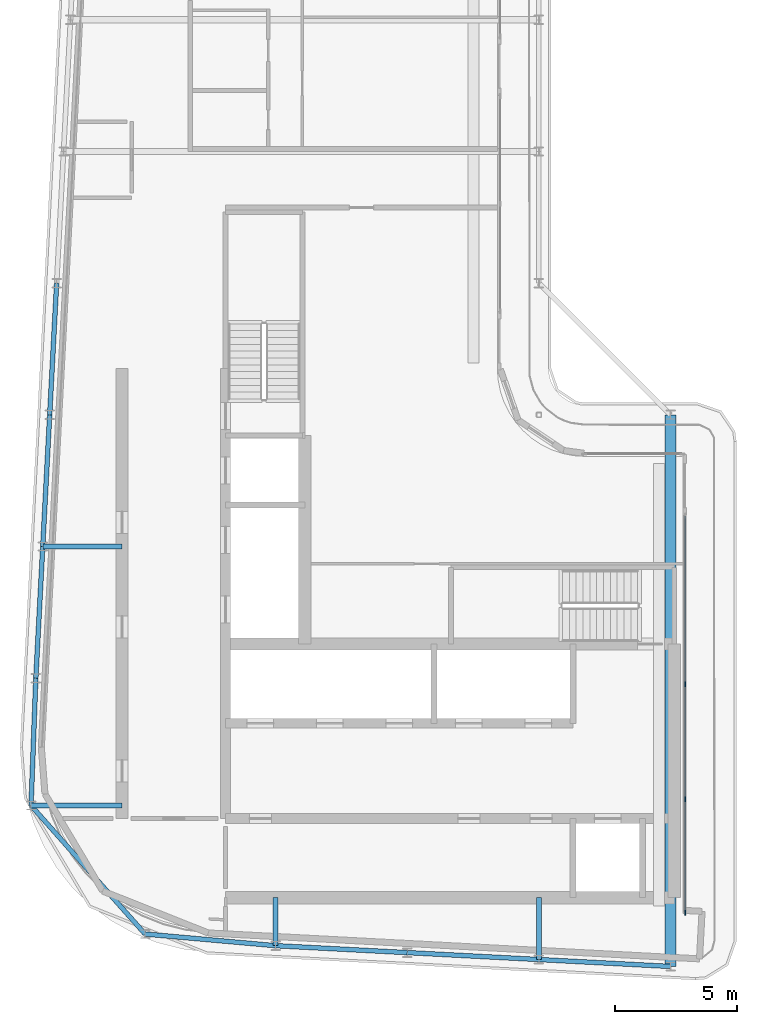
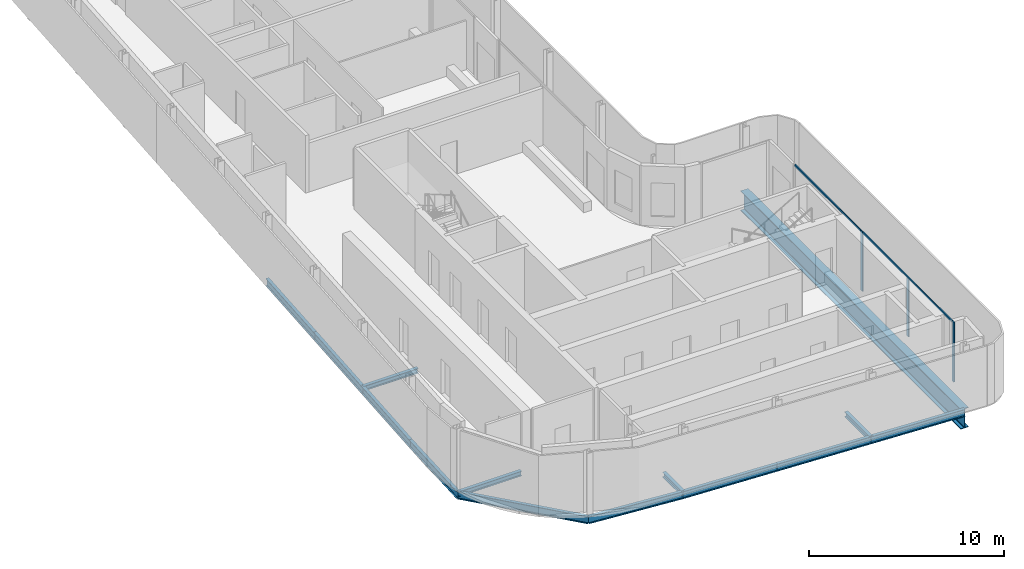
# One storey, part 4 of 19: 14 beams, 5 members, 2 elements without a shape of their own.
"""IFC4 building model written with IfcOpenShell, lengths in metres."""

import ifcopenshell
import ifcopenshell.guid

model = None  # the IFC model being written
_history = None  # IfcOwnerHistory: only IFC2X3 demands one
_inside = {}  # id of a spatial element -> (the spatial element, [elements in it])
_under = {}  # id of a project, library or spatial element -> (it, [spatial elements below it])
_declared = {}  # id of a project -> (the project, [libraries it declares])
_typed = {}  # id of a type object -> (the type object, [elements of that type])
_made_of = {}  # id of a material, layer set ... -> (it, [elements and type objects made of it])


def new_model(schema):
    """Start an empty IFC model of exactly this schema.

    Asked for "IFC4X3", IfcOpenShell would pick the latest addendum, in which some entities
    have other attributes; the version numbers below select the first issue.
    IFC2X3 requires an IfcOwnerHistory on every rooted entity: one is made here for all.
    """
    global model, _history
    if schema == "IFC4X3":
        model = ifcopenshell.file(schema_version=(4, 3, 0, 0))
    else:
        model = ifcopenshell.file(schema=schema)
    _inside.clear()
    _under.clear()
    _declared.clear()
    _typed.clear()
    _made_of.clear()
    _history = None
    if model.schema == "IFC2X3":
        org = make("IfcOrganization", Name="unknown")
        user = make(
            "IfcPersonAndOrganization",
            ThePerson=make("IfcPerson", FamilyName="unknown"),
            TheOrganization=org,
        )
        app = make(
            "IfcApplication",
            ApplicationDeveloper=org,
            Version="unknown",
            ApplicationFullName="unknown",
            ApplicationIdentifier="unknown",
        )
        _history = make(
            "IfcOwnerHistory",
            OwningUser=user,
            OwningApplication=app,
            ChangeAction="ADDED",
            CreationDate=0,
        )
    return model


def make(cls, **values):
    """One entity of the class cls with the attributes given. An attribute that is None is left unset."""
    return model.create_entity(
        cls, **{name: value for name, value in values.items() if value is not None}
    )


def rooted(cls, **values):
    """An entity with a GlobalId (a new one), such as an element, a storey or a relation."""
    return make(cls, GlobalId=ifcopenshell.guid.new(), OwnerHistory=_history, **values)


def si_unit(unit_type, name, prefix=None):
    """IfcSIUnit, for example si_unit("LENGTHUNIT", "METRE", prefix="MILLI")."""
    return make("IfcSIUnit", UnitType=unit_type, Prefix=prefix, Name=name)


def assignment(units):
    """IfcUnitAssignment: the units of a project."""
    return None if units is None else make("IfcUnitAssignment", Units=units)


def point(xyz):
    """IfcCartesianPoint."""
    return None if xyz is None else make("IfcCartesianPoint", Coordinates=xyz)


def direction(xyz):
    """IfcDirection."""
    return None if xyz is None else make("IfcDirection", DirectionRatios=xyz)


def frame(location, z_axis=None, x_axis=None):
    """IfcAxis2Placement3D, a coordinate frame: its origin and axes. An axis left out is left unset."""
    return make(
        "IfcAxis2Placement3D",
        Location=point(location),
        Axis=direction(z_axis),
        RefDirection=direction(x_axis),
    )


def frame_2d(location, x_axis=None):
    """IfcAxis2Placement2D, a coordinate frame in the plane: its origin and x axis."""
    return make(
        "IfcAxis2Placement2D", Location=point(location), RefDirection=direction(x_axis)
    )


def origin():
    """The frame at (0, 0, 0) with its axes left unset."""
    return frame((0.0, 0.0, 0.0))


def origin_2d():
    """The frame at (0, 0) in the plane with its x axis left unset."""
    return frame_2d((0.0, 0.0))


def place(relative_to, where):
    """IfcLocalPlacement: puts the frame where relative to a parent placement (None: the world)."""
    return make(
        "IfcLocalPlacement", PlacementRelTo=relative_to, RelativePlacement=where
    )


def context(
    kind, dimensions, precision=None, world=None, true_north=None, identifier=None
):
    """IfcGeometricRepresentationContext, for example the 3D "Model" context."""
    return make(
        "IfcGeometricRepresentationContext",
        ContextIdentifier=identifier,
        ContextType=kind,
        CoordinateSpaceDimension=dimensions,
        Precision=precision,
        WorldCoordinateSystem=world,
        TrueNorth=true_north,
    )


def subcontext(parent, identifier, kind, view, scale=None):
    """IfcGeometricRepresentationSubContext, for example "Body" below "Model"."""
    return make(
        "IfcGeometricRepresentationSubContext",
        ContextIdentifier=identifier,
        ContextType=kind,
        ParentContext=parent,
        TargetScale=scale,
        TargetView=view,
    )


def project(units=None, contexts=None):
    """IfcProject with its units and contexts."""
    return rooted(
        "IfcProject",
        Name="project",
        RepresentationContexts=contexts,
        UnitsInContext=assignment(units),
    )


def spatial(cls, under=None, at=None, **own):
    """A site, building, storey or space (cls), placed at a placement, below another one or the project."""
    s = rooted(cls, ObjectPlacement=at, **own)
    if under is not None:
        _under.setdefault(under.id(), (under, []))[1].append(s)
    return s


def profile(cls, at=None, kind="AREA", **sizes):
    """A parametric profile (cls). Its sizes go by their IFC names, for example OverallWidth=200.0."""
    return make(cls, ProfileType=kind, Position=at, **sizes)


def rectangle(**sizes):
    """IfcRectangleProfileDef."""
    return profile("IfcRectangleProfileDef", **sizes)


def i_section(**sizes):
    """IfcIShapeProfileDef."""
    return profile("IfcIShapeProfileDef", **sizes)


def extrude(swept, where, along, depth):
    """IfcExtrudedAreaSolid: the profile swept, set in the frame where, extruded along a direction by depth."""
    return make(
        "IfcExtrudedAreaSolid",
        SweptArea=swept,
        Position=where,
        ExtrudedDirection=direction(along),
        Depth=depth,
    )


def shape(context_of_items, identifier, shape_type, items):
    """IfcShapeRepresentation: the items that make up one representation, for example the "Body"."""
    return make(
        "IfcShapeRepresentation",
        ContextOfItems=context_of_items,
        RepresentationIdentifier=identifier,
        RepresentationType=shape_type,
        Items=items,
    )


def material(Name=None, Category=None):
    """IfcMaterial."""
    return make("IfcMaterial", Name=Name, Category=Category)


def layer(
    of_material, thickness, ventilated=None, Name=None, Category=None, Priority=None
):
    """IfcMaterialLayer: one layer of a wall or slab, of a material (None: an air gap)."""
    return make(
        "IfcMaterialLayer",
        Material=of_material,
        LayerThickness=thickness,
        IsVentilated=ventilated,
        Name=Name,
        Category=Category,
        Priority=Priority,
    )


def layer_set(layers, Name=None):
    """IfcMaterialLayerSet."""
    return make("IfcMaterialLayerSet", MaterialLayers=layers, LayerSetName=Name)


def material_profile(
    of_material, cross_section, Name=None, Category=None, Priority=None
):
    """IfcMaterialProfile: a cross section and its material."""
    return make(
        "IfcMaterialProfile",
        Name=Name,
        Material=of_material,
        Profile=cross_section,
        Priority=Priority,
        Category=Category,
    )


def profile_set(profiles, Name=None, composite=None):
    """IfcMaterialProfileSet."""
    return make(
        "IfcMaterialProfileSet",
        Name=Name,
        MaterialProfiles=profiles,
        CompositeProfile=composite,
    )


def made_of(thing, what):
    """Note that an element or type object is made of a material, layer set ...; save() writes the relation."""
    if what is not None:
        _made_of.setdefault(what.id(), (what, []))[1].append(thing)
    return thing


def type_object(cls, material=None, **own):
    """A type object (cls), such as IfcWallType, which elements share."""
    return made_of(rooted(cls, **own), material)


def element(
    cls,
    number,
    at=None,
    inside=None,
    cuts=None,
    type_object=None,
    material=None,
    context=None,
    identifier="Body",
    shape_type=None,
    held_by="IfcProductDefinitionShape",
    body=None,
    shapes=None,
    **own,
):
    """One element of the class cls, such as IfcWall. Its Tag is "e" and its number.

    at: its placement. inside: the storey or other place that contains it. cuts: it is an
    opening in that element (IfcRelVoidsElement). A single representation is given by context,
    identifier, shape_type and body (its items); several are given by shapes. held_by: the class
    of the entity that holds the representations. save() writes the other relations.
    """
    e = rooted(cls, Tag="e%d" % number, ObjectPlacement=at, **own)
    if body is not None:
        shapes = [shape(context, identifier, shape_type, body)]
    if shapes is not None:
        e.Representation = make(held_by, Representations=shapes)
    if inside is not None:
        _inside.setdefault(inside.id(), (inside, []))[1].append(e)
    if cuts is not None:
        rooted(
            "IfcRelVoidsElement", RelatingBuildingElement=cuts, RelatedOpeningElement=e
        )
    if type_object is not None:
        _typed.setdefault(type_object.id(), (type_object, []))[1].append(e)
    return made_of(e, material)


def aggregate(whole, parts):
    """IfcRelAggregates: a whole, such as a stair, and the parts it consists of."""
    return rooted("IfcRelAggregates", RelatingObject=whole, RelatedObjects=parts)


def save(model, path):
    """Write the relations noted so far, then the file.

    IfcRelAggregates (storeys below a building ...), IfcRelContainedInSpatialStructure (elements
    in a storey), IfcRelDefinesByType, IfcRelAssociatesMaterial and IfcRelDeclares: one each for
    every whole, place, type object, material and project.
    """
    for whole, parts in _under.values():
        aggregate(whole, parts)
    for where, things in _inside.values():
        rooted(
            "IfcRelContainedInSpatialStructure",
            RelatedElements=things,
            RelatingStructure=where,
        )
    for kind, things in _typed.values():
        rooted("IfcRelDefinesByType", RelatedObjects=things, RelatingType=kind)
    for what, things in _made_of.values():
        rooted("IfcRelAssociatesMaterial", RelatedObjects=things, RelatingMaterial=what)
    for by, libraries in _declared.values():
        rooted("IfcRelDeclares", RelatingContext=by, RelatedDefinitions=libraries)
    model.write(path)


model = new_model("IFC4")

# Units and contexts
model_context = context("Model", 3, precision=1e-05, world=origin(), true_north=direction((0.0, 1.0)))
body_context = subcontext(model_context, "Body", "Model", "MODEL_VIEW")
ifc_project = project(units=[si_unit("LENGTHUNIT", "METRE"), si_unit("AREAUNIT", "SQUARE_METRE"), si_unit("VOLUMEUNIT", "CUBIC_METRE"), si_unit("PLANEANGLEUNIT", "RADIAN"), si_unit("MASSUNIT", "GRAM", prefix="KILO")], contexts=[model_context])

# Site, building, storey
site_placement = place(None, origin())
site = spatial("IfcSite", under=ifc_project, at=site_placement, CompositionType="ELEMENT")
building_placement = place(site_placement, origin())
building = spatial("IfcBuilding", under=site, at=building_placement, Name="Kheshtan School and Residences Tower", CompositionType="ELEMENT")
storey_placement = place(building_placement, frame((0.0, 0.0, 357.800048828125)))
storey = spatial("IfcBuildingStorey", under=building, at=storey_placement, Name="L84", CompositionType="ELEMENT", Elevation=357.800048828125)

# Beams
ifc_material_1 = material(Name="Steel ASTM A992 Grade 50", Category="steel")
ifc_material_profile_1 = material_profile(ifc_material_1, i_section(OverallWidth=0.202880859375, OverallDepth=0.302978515625, WebThickness=0.007568359375, FlangeThickness=0.01318359375, FilletRadius=0.009033203125, at=origin_2d()), Name="W310x60")
ifc_profile_set_1 = profile_set([ifc_material_profile_1], Name="Steel ASTM A992 Grade 50")
beam_type_1 = type_object("IfcBeamType", Name="Beam FB1 W310x60 ASTM A992 Grade 50", PredefinedType="BEAM", material=ifc_profile_set_1)
beam_1_placement = place(storey_placement, frame((47.60009765625, 23.263916015625, -0.301513671875), z_axis=(0.0, 1.0, 0.0), x_axis=(-1.0, 0.0, 0.0)))
element("IfcBeam", 1, at=beam_1_placement, inside=storey, type_object=beam_type_1, Name="Floor beam C020", PredefinedType="BEAM", context=body_context, shape_type="SweptSolid", body=[
    extrude(i_section(OverallWidth=0.202880859375, OverallDepth=0.302978515625, WebThickness=0.007568359375, FlangeThickness=0.01318359375, FilletRadius=0.009033203125, at=origin_2d()), origin(), (0.0, 0.0, 1.0), 2.5361328125),
])
beam_2_placement = place(storey_placement, frame((36.800048828125, 23.83203125, -0.301513671875), z_axis=(0.0, 1.0, 0.0), x_axis=(-1.0, 0.0, 0.0)))
element("IfcBeam", 2, at=beam_2_placement, inside=storey, type_object=beam_type_1, Name="Floor beam C022", PredefinedType="BEAM", context=body_context, shape_type="SweptSolid", body=[
    extrude(i_section(OverallWidth=0.202880859375, OverallDepth=0.302978515625, WebThickness=0.007568359375, FlangeThickness=0.01318359375, FilletRadius=0.009033203125, at=origin_2d()), origin(), (0.0, 0.0, 1.0), 1.968017578125),
])
beam_3_placement = place(storey_placement, frame((26.77294921875, 29.5791015625, -0.301513671875), z_axis=(1.0, 0.0, 0.0), x_axis=(0.0, 1.0, 0.0)))
element("IfcBeam", 3, at=beam_3_placement, inside=storey, type_object=beam_type_1, Name="Floor beam C047", PredefinedType="BEAM", context=body_context, shape_type="SweptSolid", body=[
    extrude(i_section(OverallWidth=0.202880859375, OverallDepth=0.302978515625, WebThickness=0.007568359375, FlangeThickness=0.01318359375, FilletRadius=0.009033203125, at=origin_2d()), origin(), (0.0, 0.0, 1.0), 3.72705078125),
])
beam_4_placement = place(storey_placement, frame((27.2529296875, 40.199951171875, -0.301513671875), z_axis=(1.0, 0.0, 0.0), x_axis=(0.0, 1.0, 0.0)))
element("IfcBeam", 4, at=beam_4_placement, inside=storey, type_object=beam_type_1, Name="Floor beam C056", PredefinedType="BEAM", context=body_context, shape_type="SweptSolid", body=[
    extrude(i_section(OverallWidth=0.202880859375, OverallDepth=0.302978515625, WebThickness=0.007568359375, FlangeThickness=0.01318359375, FilletRadius=0.009033203125, at=origin_2d()), origin(), (0.0, 0.0, 1.0), 3.2470703125),
])
ifc_material_profile_2 = material_profile(ifc_material_1, i_section(OverallWidth=0.18994140625, OverallDepth=0.45703125, WebThickness=0.009033203125, FlangeThickness=0.014404296875, FilletRadius=0.01318359375, at=origin_2d()), Name="W460x74")
ifc_profile_set_2 = profile_set([ifc_material_profile_2], Name="Steel ASTM A992 Grade 50")
beam_type_2 = type_object("IfcBeamType", Name="Beam SP4 W460x74 ASTM A992 Grade 50", PredefinedType="BEAM", material=ifc_profile_set_2)
beam_5_placement = place(storey_placement, frame((53.0, 22.97998046875, -0.378662109375), z_axis=(-0.998620447272, 0.05250906864, 0.0), x_axis=(-0.05250906864, -0.998620447272, 0.0)))
element("IfcBeam", 5, at=beam_5_placement, inside=storey, type_object=beam_type_2, Name="Spandrel beam C019-C020", PredefinedType="BEAM", context=body_context, shape_type="SweptSolid", body=[
    extrude(i_section(OverallWidth=0.18994140625, OverallDepth=0.45703125, WebThickness=0.009033203125, FlangeThickness=0.014404296875, FilletRadius=0.01318359375, at=origin_2d()), origin(), (0.0, 0.0, 1.0), 5.407470703125),
])
beam_6_placement = place(storey_placement, frame((47.60009765625, 23.263916015625, -0.378662109375), z_axis=(-0.998618203458, 0.052551724256, 0.0), x_axis=(-0.052551724256, -0.998618203458, 0.0)))
element("IfcBeam", 6, at=beam_6_placement, inside=storey, type_object=beam_type_2, Name="Spandrel beam C020-C021", PredefinedType="BEAM", context=body_context, shape_type="SweptSolid", body=[
    extrude(i_section(OverallWidth=0.18994140625, OverallDepth=0.45703125, WebThickness=0.009033203125, FlangeThickness=0.014404296875, FilletRadius=0.01318359375, at=origin_2d()), origin(), (0.0, 0.0, 1.0), 5.40771484375),
])
beam_7_placement = place(storey_placement, frame((42.199951171875, 23.548095703125, -0.378662109375), z_axis=(-0.998620447272, 0.05250906864, 0.0), x_axis=(-0.05250906864, -0.998620447272, 0.0)))
element("IfcBeam", 7, at=beam_7_placement, inside=storey, type_object=beam_type_2, Name="Spandrel beam C021-C022", PredefinedType="BEAM", context=body_context, shape_type="SweptSolid", body=[
    extrude(i_section(OverallWidth=0.18994140625, OverallDepth=0.45703125, WebThickness=0.009033203125, FlangeThickness=0.014404296875, FilletRadius=0.01318359375, at=origin_2d()), origin(), (0.0, 0.0, 1.0), 5.407470703125),
])
beam_8_placement = place(storey_placement, frame((36.800048828125, 23.83203125, -0.378662109375), z_axis=(-0.996032095544, 0.088994745052, 0.0), x_axis=(-0.088994745052, -0.996032095544, 0.0)))
element("IfcBeam", 8, at=beam_8_placement, inside=storey, type_object=beam_type_2, Name="Spandrel beam C022-C035", PredefinedType="BEAM", context=body_context, shape_type="SweptSolid", body=[
    extrude(i_section(OverallWidth=0.18994140625, OverallDepth=0.45703125, WebThickness=0.009033203125, FlangeThickness=0.014404296875, FilletRadius=0.01318359375, at=origin_2d()), origin(), (0.0, 0.0, 1.0), 5.371337890625),
])
beam_9_placement = place(storey_placement, frame((31.449951171875, 24.31005859375, -0.378662109375), z_axis=(-0.663841018675, 0.747873720574, 0.0), x_axis=(-0.747873720574, -0.663841018675, 0.0)))
element("IfcBeam", 9, at=beam_9_placement, inside=storey, type_object=beam_type_2, Name="Spandrel beam C035-C047", PredefinedType="BEAM", context=body_context, shape_type="SweptSolid", body=[
    extrude(i_section(OverallWidth=0.18994140625, OverallDepth=0.45703125, WebThickness=0.009033203125, FlangeThickness=0.014404296875, FilletRadius=0.01318359375, at=origin_2d()), origin(), (0.0, 0.0, 1.0), 7.04541015625),
])
beam_10_placement = place(storey_placement, frame((26.77294921875, 29.5791015625, -0.378662109375), z_axis=(0.03752324019, 0.999295755242, 0.0), x_axis=(-0.999295755242, 0.03752324019, 0.0)))
element("IfcBeam", 10, at=beam_10_placement, inside=storey, type_object=beam_type_2, Name="Spandrel beam C047-C052", PredefinedType="BEAM", context=body_context, shape_type="SweptSolid", body=[
    extrude(i_section(OverallWidth=0.18994140625, OverallDepth=0.45703125, WebThickness=0.009033203125, FlangeThickness=0.014404296875, FilletRadius=0.01318359375, at=origin_2d()), origin(), (0.0, 0.0, 1.0), 5.224609375),
])
beam_11_placement = place(storey_placement, frame((26.968994140625, 34.800048828125, -0.378662109375), z_axis=(0.05250906864, 0.998620447272, 0.0), x_axis=(-0.998620447272, 0.05250906864, 0.0)))
element("IfcBeam", 11, at=beam_11_placement, inside=storey, type_object=beam_type_2, Name="Spandrel beam C052-C056", PredefinedType="BEAM", context=body_context, shape_type="SweptSolid", body=[
    extrude(i_section(OverallWidth=0.18994140625, OverallDepth=0.45703125, WebThickness=0.009033203125, FlangeThickness=0.014404296875, FilletRadius=0.01318359375, at=origin_2d()), origin(), (0.0, 0.0, 1.0), 5.407470703125),
])
beam_12_placement = place(storey_placement, frame((27.2529296875, 40.199951171875, -0.378662109375), z_axis=(0.052551724256, 0.998618203458, 0.0), x_axis=(-0.998618203458, 0.052551724256, 0.0)))
element("IfcBeam", 12, at=beam_12_placement, inside=storey, type_object=beam_type_2, Name="Spandrel beam C056-C059", PredefinedType="BEAM", context=body_context, shape_type="SweptSolid", body=[
    extrude(i_section(OverallWidth=0.18994140625, OverallDepth=0.45703125, WebThickness=0.009033203125, FlangeThickness=0.014404296875, FilletRadius=0.01318359375, at=origin_2d()), origin(), (0.0, 0.0, 1.0), 5.40771484375),
])
beam_13_placement = place(storey_placement, frame((27.537109375, 45.60009765625, -0.378662109375), z_axis=(0.052689166816, 0.998610961136, 0.0), x_axis=(-0.998610961136, 0.052689166816, 0.0)))
element("IfcBeam", 13, at=beam_13_placement, inside=storey, type_object=beam_type_2, Name="Spandrel beam C059-C078", PredefinedType="BEAM", context=body_context, shape_type="SweptSolid", body=[
    extrude(i_section(OverallWidth=0.18994140625, OverallDepth=0.45703125, WebThickness=0.009033203125, FlangeThickness=0.014404296875, FilletRadius=0.01318359375, at=origin_2d()), origin(), (0.0, 0.0, 1.0), 5.407470703125),
])

# Curtain wall, member
ifc_material_2 = material(Name="Clear low-e glass in thermally broken aluminium frame", Category="aluminium")
ifc_layer = layer(ifc_material_2, 0.199951171875)
ifc_layer_set = layer_set([ifc_layer], Name="Curtain wall CW-L")
curtain_wall_type = type_object("IfcCurtainWallType", Name="Curtain wall CW-L", PredefinedType="NOTDEFINED", material=ifc_layer_set)
curtain_wall_1_placement = place(storey_placement, origin())
curtain_wall_1 = element("IfcCurtainWall", 14, at=curtain_wall_1_placement, inside=storey, type_object=curtain_wall_type, Name="Curtain wall CWL9e", PredefinedType="NOTDEFINED")
ifc_material_3 = material(Name="Thermally broken aluminium, dark bronze anodised", Category="aluminium")
ifc_material_profile_3 = material_profile(ifc_material_3, rectangle(XDim=0.06005859375, YDim=0.199951171875, at=origin_2d()), Name="CW-L mullion 60x200")
ifc_profile_set_3 = profile_set([ifc_material_profile_3], Name="Thermally broken aluminium, dark bronze anodised")
member_type_1 = type_object("IfcMemberType", Name="CW-L mullion 60x200", PredefinedType="MULLION", material=ifc_profile_set_3)
member_1_placement = place(storey_placement, frame((53.60009765625, 34.55810546875, 0.0), z_axis=(0.0, 0.0, 1.0), x_axis=(1.0, 0.0, 0.0)))
member_1 = element("IfcMember", 15, at=member_1_placement, type_object=member_type_1, Name="CWL9e mullion 2", PredefinedType="MULLION", context=body_context, shape_type="SweptSolid", body=[
    extrude(rectangle(XDim=0.06005859375, YDim=0.199951171875, at=origin_2d()), origin(), (0.0, 0.0, 1.0), 3.75),
])

# Curtain wall, members
curtain_wall_2_placement = place(storey_placement, origin())
curtain_wall_2 = element("IfcCurtainWall", 16, at=curtain_wall_2_placement, inside=storey, type_object=curtain_wall_type, Name="Curtain wall CWL9d", PredefinedType="NOTDEFINED")
member_2_placement = place(storey_placement, frame((53.60009765625, 29.842041015625, 0.0), z_axis=(0.0, 0.0, 1.0), x_axis=(1.0, 0.0, 0.0)))
member_2 = element("IfcMember", 17, at=member_2_placement, type_object=member_type_1, Name="CWL9d mullion 2", PredefinedType="MULLION", context=body_context, shape_type="SweptSolid", body=[
    extrude(rectangle(XDim=0.06005859375, YDim=0.199951171875, at=origin_2d()), origin(), (0.0, 0.0, 1.0), 3.6298828125),
])
member_3_placement = place(storey_placement, frame((53.60009765625, 25.18603515625, 0.0), z_axis=(0.0, 0.0, 1.0), x_axis=(1.0, 0.0, 0.0)))
member_3 = element("IfcMember", 18, at=member_3_placement, type_object=member_type_1, Name="CWL9d mullion 3", PredefinedType="MULLION", context=body_context, shape_type="SweptSolid", body=[
    extrude(rectangle(XDim=0.06005859375, YDim=0.199951171875, at=origin_2d()), origin(), (0.0, 0.0, 1.0), 3.75),
])

# Member
ifc_material_profile_4 = material_profile(ifc_material_3, rectangle(XDim=0.06005859375, YDim=0.1201171875, at=origin_2d()), Name="CW-L transom 60x120")
ifc_profile_set_4 = profile_set([ifc_material_profile_4], Name="Thermally broken aluminium, dark bronze anodised")
member_type_2 = type_object("IfcMemberType", Name="CW-L transom 60x120", PredefinedType="USERDEFINED", material=ifc_profile_set_4)
member_4_placement = place(storey_placement, frame((53.60009765625, 41.43994140625, 3.68994140625), z_axis=(0.0, -1.0, 0.0), x_axis=(1.0, 0.0, 0.0)))
member_4 = element("IfcMember", 19, at=member_4_placement, type_object=member_type_2, Name="CWL9e transom 1", ObjectType="TRANSOM", PredefinedType="USERDEFINED", context=body_context, shape_type="SweptSolid", body=[
    extrude(rectangle(XDim=0.06005859375, YDim=0.1201171875, at=origin_2d()), origin(), (0.0, 0.0, 1.0), 6.85205078125),
])

aggregate(curtain_wall_1, [member_1, member_4])

member_5_placement = place(storey_placement, frame((53.60009765625, 34.528076171875, 3.68994140625), z_axis=(0.0, -1.0, 0.0), x_axis=(1.0, 0.0, 0.0)))
member_5 = element("IfcMember", 20, at=member_5_placement, type_object=member_type_2, Name="CWL9d transom 1", ObjectType="TRANSOM", PredefinedType="USERDEFINED", context=body_context, shape_type="SweptSolid", body=[
    extrude(rectangle(XDim=0.06005859375, YDim=0.1201171875, at=origin_2d()), origin(), (0.0, 0.0, 1.0), 9.31201171875),
])

aggregate(curtain_wall_2, [member_2, member_3, member_5])

# Beam
ifc_material_profile_5 = material_profile(ifc_material_1, i_section(OverallWidth=0.449951171875, OverallDepth=1.25, WebThickness=0.02490234375, FlangeThickness=0.044921875, FilletRadius=0.03759765625, at=origin_2d()), Name="WWF1250x546")
ifc_profile_set_5 = profile_set([ifc_material_profile_5], Name="Steel ASTM A992 Grade 50")
beam_type_3 = type_object("IfcBeamType", Name="Transfer girder TG4 WWF1250x546 ASTM A992 Grade 50", PredefinedType="BEAM", material=ifc_profile_set_5)
beam_14_placement = place(storey_placement, frame((53.0, 45.60009765625, -0.775146484375), z_axis=(0.0, -1.0, 0.0), x_axis=(1.0, 0.0, 0.0)))
element("IfcBeam", 21, at=beam_14_placement, inside=storey, type_object=beam_type_3, Name="Transfer girder C061-C019", PredefinedType="BEAM", context=body_context, shape_type="SweptSolid", body=[
    extrude(i_section(OverallWidth=0.449951171875, OverallDepth=1.25, WebThickness=0.02490234375, FlangeThickness=0.044921875, FilletRadius=0.03759765625, at=origin_2d()), origin(), (0.0, 0.0, 1.0), 22.6201171875),
])

save(model, "model.ifc")
